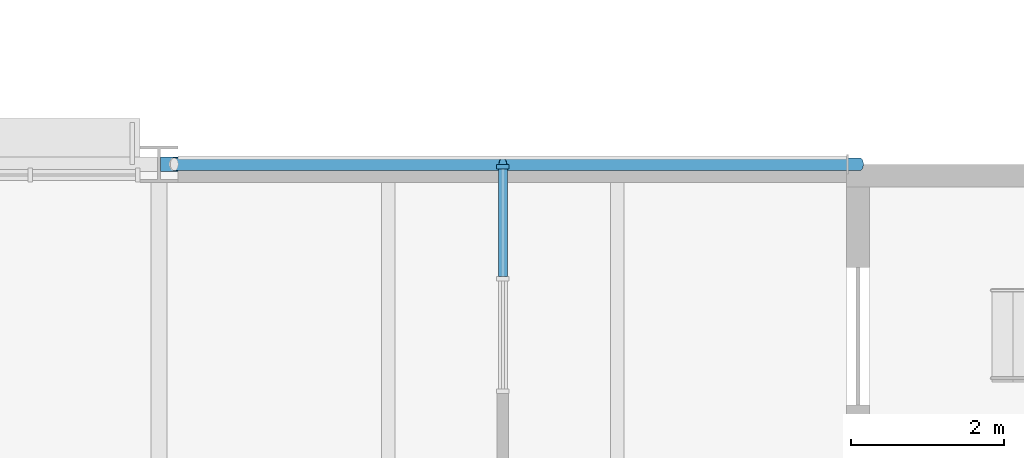
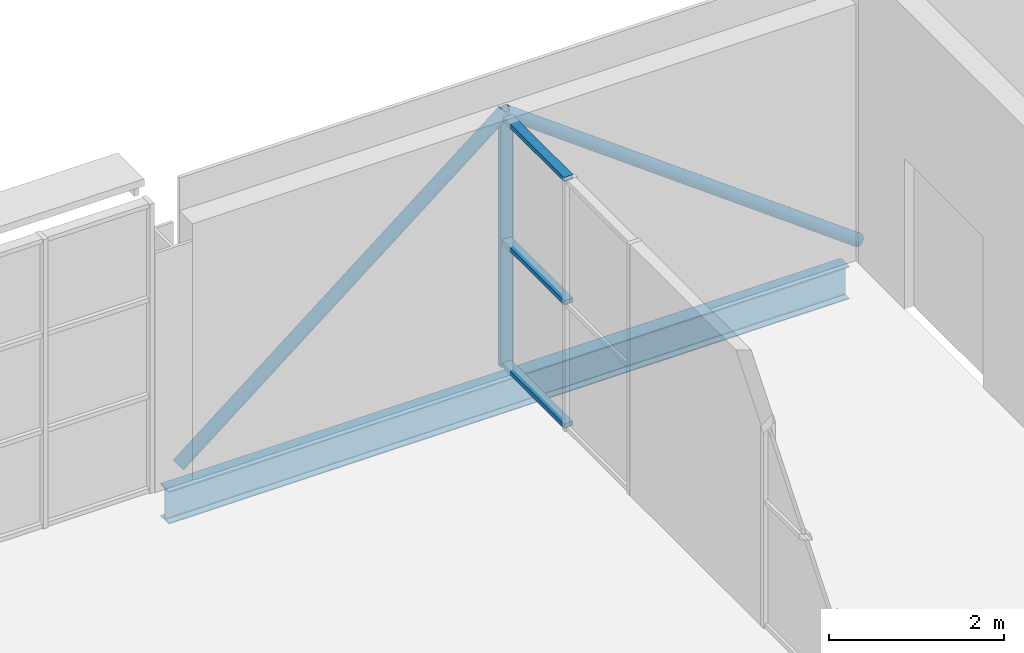
# One storey, part 16 of 61: 6 members, 1 beam, 1 element without a shape of its own.
"""IFC4 building model written with IfcOpenShell, lengths in metres."""

from ifc_helpers import new_model, si_unit, direction, frame, origin, origin_2d, place, context, subcontext, project, spatial, rectangle, hollow_circle, i_section, extrude, material, layer, layer_set, material_profile, profile_set, type_object, element, aggregate, save


model = new_model("IFC4")

# Units and contexts
model_context = context("Model", 3, precision=1e-05, world=origin(), true_north=direction((0.0, 1.0)))
body_context = subcontext(model_context, "Body", "Model", "MODEL_VIEW")
ifc_project = project(units=[si_unit("LENGTHUNIT", "METRE"), si_unit("AREAUNIT", "SQUARE_METRE"), si_unit("VOLUMEUNIT", "CUBIC_METRE"), si_unit("PLANEANGLEUNIT", "RADIAN"), si_unit("MASSUNIT", "GRAM", prefix="KILO")], contexts=[model_context])

# Site, building, storey
site_placement = place(None, origin())
site = spatial("IfcSite", under=ifc_project, at=site_placement, CompositionType="ELEMENT")
building_placement = place(site_placement, origin())
building = spatial("IfcBuilding", under=site, at=building_placement, Name="Halyard Row Museum", CompositionType="ELEMENT")
storey_placement = place(building_placement, frame((0.0, 0.0, 9.199951171875)))
storey = spatial("IfcBuildingStorey", under=building, at=storey_placement, Name="L02", CompositionType="ELEMENT", Elevation=9.199951171875)

# Members
ifc_material_1 = material(Name="Steel Grade C350L0", Category="steel")
ifc_material_profile_1 = material_profile(ifc_material_1, hollow_circle(Radius=0.084228515625, WallThickness=0.007080078125, at=origin_2d()), Name="168.3x7.1CHS")
ifc_profile_set_1 = profile_set([ifc_material_profile_1], Name="Steel Grade C350L0")
member_type_1 = type_object("IfcMemberType", Name="Brace 168.3x7.1CHS", PredefinedType="BRACE", material=ifc_profile_set_1)
member_1_placement = place(storey_placement, frame((54.199951171875, 45.0, 0.084228515625), z_axis=(0.781483113773, 0.0, 0.623926392203), x_axis=(0.0, 1.0, 0.0)))
element("IfcMember", 1, at=member_1_placement, inside=storey, type_object=member_type_1, Name="Brace L02 Y45 54-63 A", PredefinedType="BRACE", context=body_context, shape_type="SweptSolid", body=[
    extrude(hollow_circle(Radius=0.084228515625, WallThickness=0.007080078125, at=origin_2d()), origin(), (0.0, 0.0, 1.0), 5.50244140625),
])
member_2_placement = place(storey_placement, frame((63.169921875, 45.0, 0.084228515625), z_axis=(-0.805866223189, 0.0, 0.592097652692), x_axis=(0.0, -1.0, 0.0)))
element("IfcMember", 2, at=member_2_placement, inside=storey, type_object=member_type_1, Name="Brace L02 Y45 54-63 B", PredefinedType="BRACE", context=body_context, shape_type="SweptSolid", body=[
    extrude(hollow_circle(Radius=0.084228515625, WallThickness=0.007080078125, at=origin_2d()), origin(), (0.0, 0.0, 1.0), 5.794921875),
])

# Curtain wall, members
ifc_material_2 = material(Name="Fire-resisting laminated glazing", Category="glass")
ifc_layer = layer(ifc_material_2, 0.159912109375)
ifc_layer_set = layer_set([ifc_layer], Name="Fire-resisting laminated glazing")
curtain_wall_type = type_object("IfcCurtainWallType", Name="Curtain wall atrium screen 160 deep", PredefinedType="NOTDEFINED", material=ifc_layer_set)
curtain_wall_placement = place(storey_placement, origin())
curtain_wall = element("IfcCurtainWall", 3, at=curtain_wall_placement, inside=storey, type_object=curtain_wall_type, Name="Curtain wall CW171", PredefinedType="NOTDEFINED")
ifc_material_3 = material(Name="Powder-coated aluminium section", Category="aluminium")
ifc_material_profile_2 = material_profile(ifc_material_3, rectangle(XDim=0.159912109375, YDim=0.06005859375, at=origin_2d()), Name="160x60 mullion")
ifc_profile_set_2 = profile_set([ifc_material_profile_2], Name="Powder-coated aluminium section")
member_type_2 = type_object("IfcMemberType", Name="Curtain wall mullion CM5 60 x 160", PredefinedType="MULLION", material=ifc_profile_set_2)
member_3_placement = place(storey_placement, frame((58.5, 44.969970703125, 0.0), z_axis=(0.0, 0.0, 1.0), x_axis=(-1.0, 0.0, 0.0)))
member_3 = element("IfcMember", 4, at=member_3_placement, type_object=member_type_2, Name="CW171 mullion 3", PredefinedType="MULLION", context=body_context, shape_type="SweptSolid", body=[
    extrude(rectangle(XDim=0.159912109375, YDim=0.06005859375, at=origin_2d()), origin(), (0.0, 0.0, 1.0), 3.501953125),
])
ifc_material_4 = material(Name="Powder-coated aluminium section", Category="aluminium")
ifc_material_profile_3 = material_profile(ifc_material_4, rectangle(XDim=0.1201171875, YDim=0.06005859375, at=origin_2d()), Name="120x60 transom")
ifc_profile_set_3 = profile_set([ifc_material_profile_3], Name="Powder-coated aluminium section")
member_type_3 = type_object("IfcMemberType", Name="Curtain wall transom CT5 60 x 120", PredefinedType="USERDEFINED", material=ifc_profile_set_3)
member_4_placement = place(storey_placement, frame((58.5, 43.530029296875, 0.030029296875), z_axis=(0.0, 1.0, 0.0), x_axis=(-1.0, 0.0, 0.0)))
member_4 = element("IfcMember", 5, at=member_4_placement, type_object=member_type_3, Name="CW171 transom 2.1", ObjectType="TRANSOM", PredefinedType="USERDEFINED", context=body_context, shape_type="SweptSolid", body=[
    extrude(rectangle(XDim=0.1201171875, YDim=0.06005859375, at=origin_2d()), origin(), (0.0, 0.0, 1.0), 1.409912109375),
])
member_5_placement = place(storey_placement, frame((58.5, 43.530029296875, 1.7509765625), z_axis=(0.0, 1.0, 0.0), x_axis=(-1.0, 0.0, 0.0)))
member_5 = element("IfcMember", 6, at=member_5_placement, type_object=member_type_3, Name="CW171 transom 2.2", ObjectType="TRANSOM", PredefinedType="USERDEFINED", context=body_context, shape_type="SweptSolid", body=[
    extrude(rectangle(XDim=0.1201171875, YDim=0.06005859375, at=origin_2d()), origin(), (0.0, 0.0, 1.0), 1.409912109375),
])
member_6_placement = place(storey_placement, frame((58.5, 43.530029296875, 3.47216796875), z_axis=(0.0, 1.0, 0.0), x_axis=(-1.0, 0.0, 0.0)))
member_6 = element("IfcMember", 7, at=member_6_placement, type_object=member_type_3, Name="CW171 transom 2.3", ObjectType="TRANSOM", PredefinedType="USERDEFINED", context=body_context, shape_type="SweptSolid", body=[
    extrude(rectangle(XDim=0.1201171875, YDim=0.06005859375, at=origin_2d()), origin(), (0.0, 0.0, 1.0), 1.409912109375),
])
aggregate(curtain_wall, [member_3, member_4, member_5, member_6])

# Beam
ifc_material_5 = material(Name="Steel Grade 300", Category="steel")
ifc_material_profile_4 = material_profile(ifc_material_5, i_section(OverallWidth=0.18994140625, OverallDepth=0.45751953125, WebThickness=0.009033203125, FlangeThickness=0.014404296875, FilletRadius=0.011474609375, at=origin_2d()), Name="460UB74.6")
ifc_profile_set_4 = profile_set([ifc_material_profile_4], Name="Steel Grade 300")
beam_type = type_object("IfcBeamType", Name="Edge beam 460UB74.6", PredefinedType="BEAM", material=ifc_profile_set_4)
beam_placement = place(storey_placement, frame((54.02001953125, 45.0, -0.3935546875), z_axis=(1.0, 0.0, 0.0), x_axis=(0.0, 1.0, 0.0)))
element("IfcBeam", 8, at=beam_placement, inside=storey, type_object=beam_type, Name="Beam L02-037", PredefinedType="BEAM", context=body_context, shape_type="SweptSolid", body=[
    extrude(i_section(OverallWidth=0.18994140625, OverallDepth=0.45751953125, WebThickness=0.009033203125, FlangeThickness=0.014404296875, FilletRadius=0.011474609375, at=origin_2d()), origin(), (0.0, 0.0, 1.0), 8.97998046875),
])

save(model, "model.ifc")
